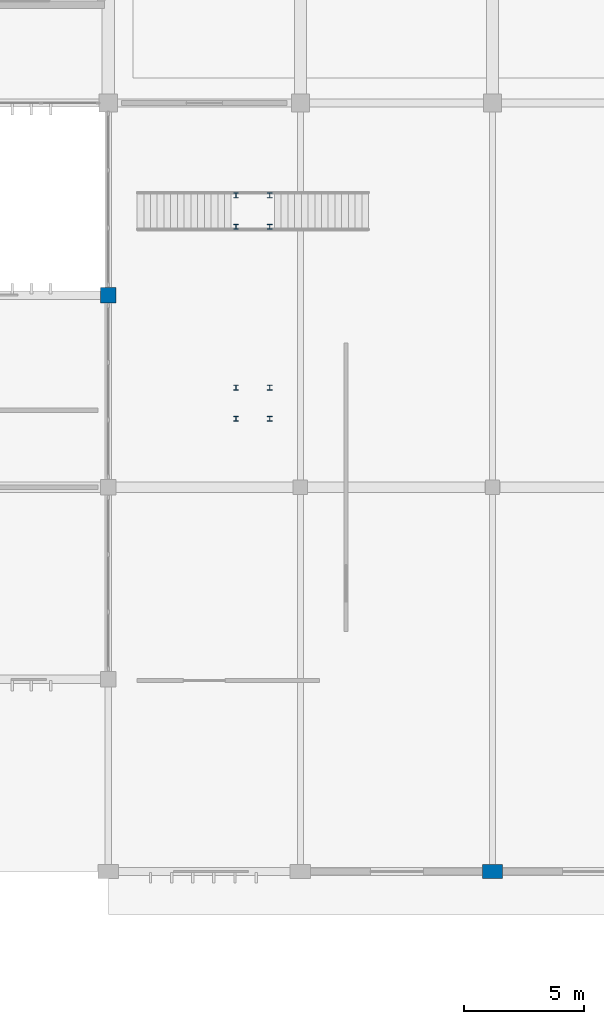
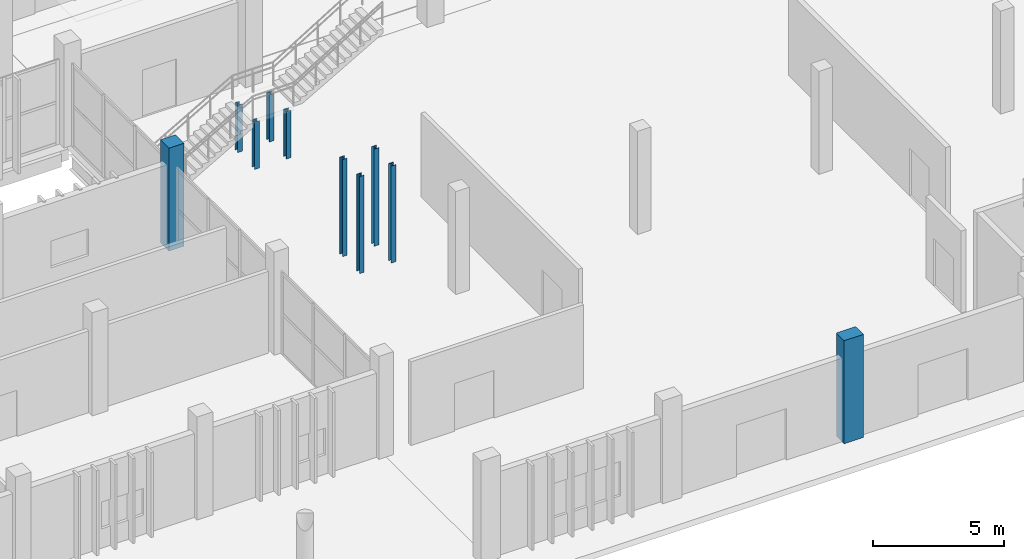
# One storey, part 14 of 117: 10 columns.
"""IFC4 building model written with IfcOpenShell, lengths in metres."""

from ifc_helpers import new_model, si_unit, direction, frame, origin, origin_2d, place, context, subcontext, project, spatial, rectangle, i_section, extrude, material, material_profile, profile_set, type_object, element, save


model = new_model("IFC4")

# Units and contexts
model_context = context("Model", 3, precision=1e-05, world=origin(), true_north=direction((0.0, 1.0)))
body_context = subcontext(model_context, "Body", "Model", "MODEL_VIEW")
ifc_project = project(units=[si_unit("LENGTHUNIT", "METRE"), si_unit("AREAUNIT", "SQUARE_METRE"), si_unit("VOLUMEUNIT", "CUBIC_METRE"), si_unit("PLANEANGLEUNIT", "RADIAN"), si_unit("MASSUNIT", "GRAM", prefix="KILO")], contexts=[model_context])

# Site, building, storey
site_placement = place(None, origin())
site = spatial("IfcSite", under=ifc_project, at=site_placement, CompositionType="ELEMENT")
building_placement = place(site_placement, origin())
building = spatial("IfcBuilding", under=site, at=building_placement, Name="Jelvoka-Kovrelna Polytechnic", CompositionType="ELEMENT")
storey_placement = place(building_placement, origin())
storey = spatial("IfcBuildingStorey", under=building, at=storey_placement, Name="L01", CompositionType="ELEMENT", Elevation=0.0)

# Columns
ifc_material_1 = material(Name="Concrete C40/50", Category="concrete")
ifc_material_profile_1 = material_profile(ifc_material_1, rectangle(XDim=0.60009765625, YDim=0.85009765625, at=origin_2d()), Name="RC 600x850")
ifc_profile_set_1 = profile_set([ifc_material_profile_1], Name="Concrete C40/50")
column_type_1 = type_object("IfcColumnType", Name="Col_RC_600x850", PredefinedType="COLUMN", material=ifc_profile_set_1)
column_1_placement = place(storey_placement, frame((176.0, 0.0, 0.0), z_axis=(0.0, 0.0, 1.0), x_axis=(0.0, 1.0, 0.0)))
element("IfcColumn", 1, at=column_1_placement, inside=storey, type_object=column_type_1, Name="L01 column 0069", PredefinedType="COLUMN", context=body_context, shape_type="SweptSolid", body=[
    extrude(rectangle(XDim=0.60009765625, YDim=0.85009765625, at=origin_2d()), origin(), (0.0, 0.0, 1.0), 4.800048828125),
])
ifc_material_2 = material(Name="Concrete C40/50", Category="concrete")
ifc_material_profile_2 = material_profile(ifc_material_2, rectangle(XDim=0.64990234375, YDim=0.64990234375, at=origin_2d()), Name="RC 650x650")
ifc_profile_set_2 = profile_set([ifc_material_profile_2], Name="Concrete C40/50")
column_type_2 = type_object("IfcColumnType", Name="Col_RC_650", PredefinedType="COLUMN", material=ifc_profile_set_2)
column_2_placement = place(storey_placement, frame((160.0, 24.0, 0.0), z_axis=(0.0, 0.0, 1.0), x_axis=(1.0, 0.0, 0.0)))
element("IfcColumn", 2, at=column_2_placement, inside=storey, type_object=column_type_2, Name="L01 column 0396", PredefinedType="COLUMN", context=body_context, shape_type="SweptSolid", body=[
    extrude(rectangle(XDim=0.64990234375, YDim=0.64990234375, at=origin_2d()), origin(), (0.0, 0.0, 1.0), 4.800048828125),
])
ifc_material_3 = material(Name="Structural steel S355JR", Category="steel")
ifc_material_profile_3 = material_profile(ifc_material_3, i_section(OverallWidth=0.205810546875, OverallDepth=0.209716796875, WebThickness=0.009521484375, FlangeThickness=0.01416015625, FilletRadius=0.01025390625, at=origin_2d()), Name="203x203x60 UC")
ifc_profile_set_3 = profile_set([ifc_material_profile_3], Name="Structural steel S355JR")
column_type_3 = type_object("IfcColumnType", Name="Col_Steel_UC203", PredefinedType="COLUMN", material=ifc_profile_set_3)
for number, where, z_axis, x_axis, name in (
    (3, (165.320068359375, 26.85009765625, 0.0), (0.0, 0.0, 1.0), (1.0, 0.0, 0.0), "L01 feature stair landing post 1710"),
    (4, (165.320068359375, 28.14990234375, 0.0), (0.0, 0.0, 1.0), (1.0, 0.0, 0.0), "L01 feature stair landing post 1711"),
    (5, (166.719970703125, 26.85009765625, 0.0), (0.0, 0.0, 1.0), (1.0, 0.0, 0.0), "L01 feature stair landing post 1712"),
    (6, (166.719970703125, 28.14990234375, 0.0), (0.0, 0.0, 1.0), (1.0, 0.0, 0.0), "L01 feature stair landing post 1713"),
):
    element("IfcColumn", number, at=place(storey_placement, frame(where, z_axis=z_axis, x_axis=x_axis)), inside=storey, type_object=column_type_3, Name=name, PredefinedType="COLUMN", context=body_context, shape_type="SweptSolid", body=[
        extrude(i_section(OverallWidth=0.205810546875, OverallDepth=0.209716796875, WebThickness=0.009521484375, FlangeThickness=0.01416015625, FilletRadius=0.01025390625, at=origin_2d()), origin(), (0.0, 0.0, 1.0), 2.199951171875),
    ])
for number, where, z_axis, x_axis, name in (
    (7, (165.320068359375, 18.85009765625, 0.0), (0.0, 0.0, 1.0), (1.0, 0.0, 0.0), "L01 feature stair support post 1714"),
    (8, (165.320068359375, 20.14990234375, 0.0), (0.0, 0.0, 1.0), (1.0, 0.0, 0.0), "L01 feature stair support post 1716"),
    (9, (166.719970703125, 18.85009765625, 0.0), (0.0, 0.0, 1.0), (1.0, 0.0, 0.0), "L01 feature stair support post 1718"),
    (10, (166.719970703125, 20.14990234375, 0.0), (0.0, 0.0, 1.0), (1.0, 0.0, 0.0), "L01 feature stair support post 1720"),
):
    element("IfcColumn", number, at=place(storey_placement, frame(where, z_axis=z_axis, x_axis=x_axis)), inside=storey, type_object=column_type_3, Name=name, PredefinedType="COLUMN", context=body_context, shape_type="SweptSolid", body=[
        extrude(i_section(OverallWidth=0.205810546875, OverallDepth=0.209716796875, WebThickness=0.009521484375, FlangeThickness=0.01416015625, FilletRadius=0.01025390625, at=origin_2d()), origin(), (0.0, 0.0, 1.0), 4.52001953125),
    ])

save(model, "model.ifc")
